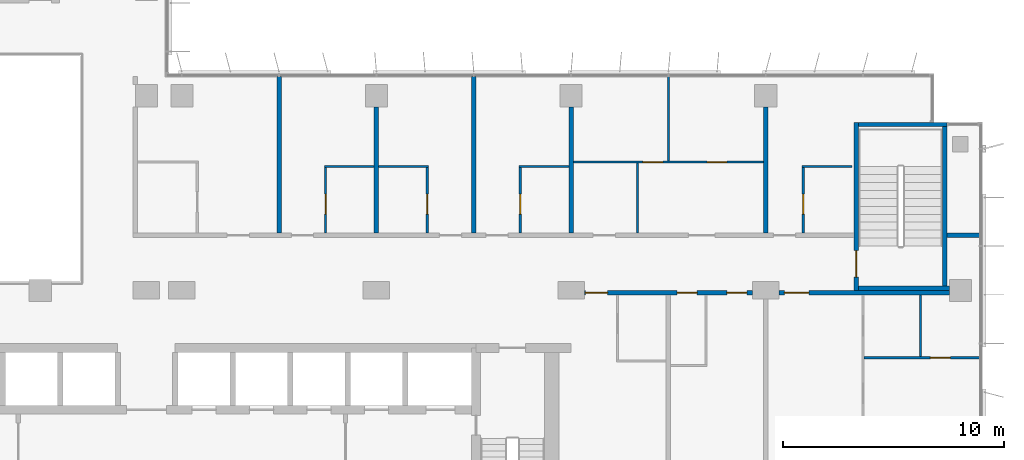
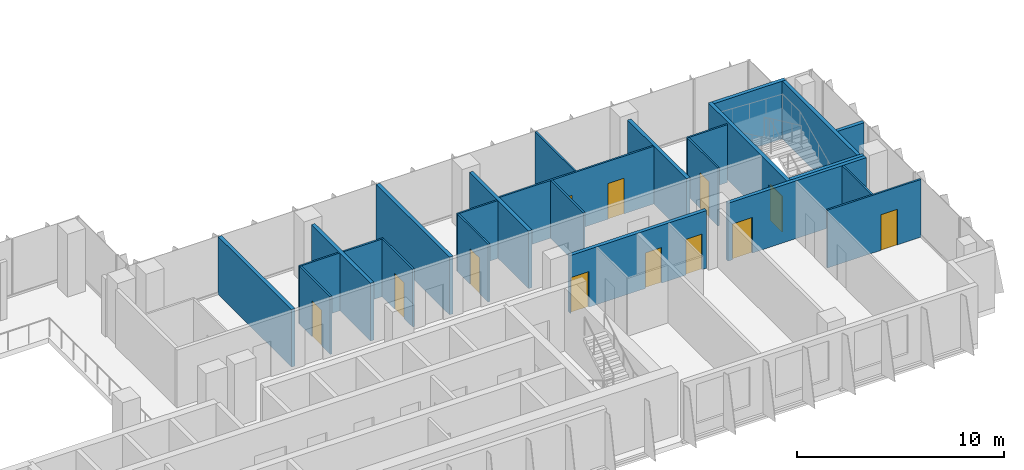
# One storey, part 15 of 21: 25 walls, 12 doors, 12 openings.
"""IFC4 building model written with IfcOpenShell, lengths in metres."""

from ifc_helpers import new_model, si_unit, direction, frame, frame_2d, origin, place, context, subcontext, project, spatial, rectangle, extrude, material, layer, layer_set, type_object, element, fill, save


model = new_model("IFC4")

# Units and contexts
model_context = context("Model", 3, precision=1e-05, world=origin(), true_north=direction((0.0, 1.0)))
body_context = subcontext(model_context, "Body", "Model", "MODEL_VIEW")
ifc_project = project(units=[si_unit("LENGTHUNIT", "METRE"), si_unit("AREAUNIT", "SQUARE_METRE"), si_unit("VOLUMEUNIT", "CUBIC_METRE"), si_unit("PLANEANGLEUNIT", "RADIAN"), si_unit("MASSUNIT", "GRAM", prefix="KILO")], contexts=[model_context])

# Site, building, storey
site_placement = place(None, origin())
site = spatial("IfcSite", under=ifc_project, at=site_placement, CompositionType="ELEMENT")
building_placement = place(site_placement, origin())
building = spatial("IfcBuilding", under=site, at=building_placement, Name="Kemantara Hotel Tower", CompositionType="ELEMENT")
storey_placement = place(building_placement, frame((0.0, 0.0, 208.0)))
storey = spatial("IfcBuildingStorey", under=building, at=storey_placement, Name="L51", CompositionType="ELEMENT", Elevation=208.0)

# Wall, openings, doors
ifc_material_1 = material(Name="Gypsum board partition, steel studs and mineral wool, 200 mm", Category="steel")
ifc_layer_1 = layer(ifc_material_1, 0.199951171875)
ifc_layer_set_1 = layer_set([ifc_layer_1], Name="Gypsum board partition, steel studs and mineral wool, 200 mm")
wall_type_1 = type_object("IfcWallType", Name="CORRIDOR WALL 200", PredefinedType="PARTITIONING", material=ifc_layer_set_1)
wall_1_placement = place(storey_placement, frame((53.199951171875, 12.10009765625, 0.0), z_axis=(0.0, 0.0, 1.0), x_axis=(-1.0, 0.0, 0.0)))
wall_1 = element("IfcWall", 1, at=wall_1_placement, inside=storey, type_object=wall_type_1, Name="CORRIDOR WALL 200 001", PredefinedType="PARTITIONING", context=body_context, shape_type="SweptSolid", body=[
    extrude(rectangle(XDim=7.599853515625, YDim=0.199951171875, at=frame_2d((3.7998046875, 0.0))), origin(), (0.0, 0.0, 1.0), 3.39990234375),
])
opening_1_placement = place(wall_1_placement, frame((6.5498046875, 0.0, 0.0)))
opening_1 = element("IfcOpeningElement", 2, at=opening_1_placement, cuts=wall_1, Name="Opening F25-001", PredefinedType="OPENING", context=body_context, shape_type="SweptSolid", body=[
    extrude(rectangle(XDim=1.0, YDim=2.10009765625, at=frame_2d((0.5, 1.050048828125))), frame((0.0, 0.10986328125, 0.0), z_axis=(0.0, -1.0, 0.0), x_axis=(1.0, 0.0, 0.0)), (0.0, 0.0, 1.0), 0.219970703125),
])
opening_2_placement = place(wall_1_placement, frame((0.25, 0.0, 0.0)))
opening_2 = element("IfcOpeningElement", 3, at=opening_2_placement, cuts=wall_1, Name="Opening F25-003", PredefinedType="OPENING", context=body_context, shape_type="SweptSolid", body=[
    extrude(rectangle(XDim=0.89990234375, YDim=2.10009765625, at=frame_2d((0.449951171875, 1.050048828125))), frame((0.0, 0.10986328125, 0.0), z_axis=(0.0, -1.0, 0.0), x_axis=(1.0, 0.0, 0.0)), (0.0, 0.0, 1.0), 0.219970703125),
])
opening_3_placement = place(wall_1_placement, frame((2.5, 0.0, 0.0)))
opening_3 = element("IfcOpeningElement", 4, at=opening_3_placement, cuts=wall_1, Name="Opening F25-004", PredefinedType="OPENING", context=body_context, shape_type="SweptSolid", body=[
    extrude(rectangle(XDim=0.89990234375, YDim=2.10009765625, at=frame_2d((0.449951171875, 1.050048828125))), frame((0.0, 0.10986328125, 0.0), z_axis=(0.0, -1.0, 0.0), x_axis=(1.0, 0.0, 0.0)), (0.0, 0.0, 1.0), 0.219970703125),
])
ifc_material_2 = material(Name="Hardwood veneer door leaf with steel frame", Category="steel")
door_type_1 = type_object("IfcDoorType", Name="GUEST ROOM DOOR 1000 X 2100 FD30S", OperationType="NOTDEFINED", PredefinedType="DOOR", material=ifc_material_2)
door_1_placement = place(opening_1_placement, origin())
door_1 = element("IfcDoor", 5, at=door_1_placement, inside=storey, type_object=door_type_1, Name="GUEST ROOM DOOR F25-001", OperationType="SINGLE_SWING_RIGHT", OverallHeight=2.10009765625, OverallWidth=1.0, PredefinedType="DOOR", context=body_context, shape_type="SweptSolid", body=[
    extrude(rectangle(XDim=1.0, YDim=2.10009765625, at=frame_2d((0.5, 1.050048828125))), frame((0.0, 0.02490234375, 0.0), z_axis=(0.0, -1.0, 0.0), x_axis=(1.0, 0.0, 0.0)), (0.0, 0.0, 1.0), 0.050048828125),
])
fill(opening_1, door_1)
ifc_material_3 = material(Name="Steel door leaf with steel frame", Category="steel")
door_type_2 = type_object("IfcDoorType", Name="SERVICE ROOM DOOR 900 X 2100 FD60", OperationType="NOTDEFINED", PredefinedType="DOOR", material=ifc_material_3)
door_2_placement = place(opening_2_placement, origin())
door_2 = element("IfcDoor", 6, at=door_2_placement, inside=storey, type_object=door_type_2, Name="SERVICE ROOM DOOR F25-003", OperationType="SINGLE_SWING_LEFT", OverallHeight=2.10009765625, OverallWidth=0.89990234375, PredefinedType="DOOR", context=body_context, shape_type="SweptSolid", body=[
    extrude(rectangle(XDim=0.89990234375, YDim=2.10009765625, at=frame_2d((0.449951171875, 1.050048828125))), frame((0.0, 0.02490234375, 0.0), z_axis=(0.0, -1.0, 0.0), x_axis=(1.0, 0.0, 0.0)), (0.0, 0.0, 1.0), 0.050048828125),
])
fill(opening_2, door_2)
door_3_placement = place(opening_3_placement, origin())
door_3 = element("IfcDoor", 7, at=door_3_placement, inside=storey, type_object=door_type_2, Name="SERVICE ROOM DOOR F25-004", OperationType="SINGLE_SWING_RIGHT", OverallHeight=2.10009765625, OverallWidth=0.89990234375, PredefinedType="DOOR", context=body_context, shape_type="SweptSolid", body=[
    extrude(rectangle(XDim=0.89990234375, YDim=2.10009765625, at=frame_2d((0.449951171875, 1.050048828125))), frame((0.0, 0.02490234375, 0.0), z_axis=(0.0, -1.0, 0.0), x_axis=(1.0, 0.0, 0.0)), (0.0, 0.0, 1.0), 0.050048828125),
])
fill(opening_3, door_3)

# Wall, opening, door
wall_2_placement = place(storey_placement, frame((62.099853515625, 12.10009765625, 0.0), z_axis=(0.0, 0.0, 1.0), x_axis=(-1.0, 0.0, 0.0)))
wall_2 = element("IfcWall", 8, at=wall_2_placement, inside=storey, type_object=wall_type_1, Name="CORRIDOR WALL 200 002", PredefinedType="PARTITIONING", context=body_context, shape_type="SweptSolid", body=[
    extrude(rectangle(XDim=7.69970703125, YDim=0.199951171875, at=frame_2d((3.849853515625, 0.0))), origin(), (0.0, 0.0, 1.0), 3.39990234375),
])
opening_4_placement = place(wall_2_placement, frame((6.349853515625, 0.0, 0.0)))
opening_4 = element("IfcOpeningElement", 9, at=opening_4_placement, cuts=wall_2, Name="Opening F25-005", PredefinedType="OPENING", context=body_context, shape_type="SweptSolid", body=[
    extrude(rectangle(XDim=1.10009765625, YDim=2.10009765625, at=frame_2d((0.550048828125, 1.050048828125))), frame((0.0, 0.10986328125, 0.0), z_axis=(0.0, -1.0, 0.0), x_axis=(1.0, 0.0, 0.0)), (0.0, 0.0, 1.0), 0.219970703125),
])
door_type_3 = type_object("IfcDoorType", Name="SUITE ENTRANCE DOOR 1100 X 2100 FD30S", OperationType="NOTDEFINED", PredefinedType="DOOR", material=ifc_material_2)
door_4_placement = place(opening_4_placement, origin())
door_4 = element("IfcDoor", 10, at=door_4_placement, inside=storey, type_object=door_type_3, Name="SUITE ENTRANCE DOOR F25-005", OperationType="SINGLE_SWING_RIGHT", OverallHeight=2.10009765625, OverallWidth=1.10009765625, PredefinedType="DOOR", context=body_context, shape_type="SweptSolid", body=[
    extrude(rectangle(XDim=1.10009765625, YDim=2.10009765625, at=frame_2d((0.550048828125, 1.050048828125))), frame((0.0, 0.02490234375, 0.0), z_axis=(0.0, -1.0, 0.0), x_axis=(1.0, 0.0, 0.0)), (0.0, 0.0, 1.0), 0.050048828125),
])
fill(opening_4, door_4)

# Wall
wall_3_placement = place(storey_placement, frame((62.0, 14.699951171875, 0.0), z_axis=(0.0, 0.0, 1.0), x_axis=(1.0, 0.0, 0.0)))
element("IfcWall", 11, at=wall_3_placement, inside=storey, type_object=wall_type_1, Name="CORRIDOR WALL 200 007", PredefinedType="PARTITIONING", context=body_context, shape_type="SweptSolid", body=[
    extrude(rectangle(XDim=1.47998046875, YDim=0.199951171875, at=frame_2d((0.739990234375, 0.0))), origin(), (0.0, 0.0, 1.0), 3.39990234375),
])

# Wall, opening, door
ifc_material_4 = material(Name="Concrete fc 40 MPa", Category="concrete")
ifc_layer_2 = layer(ifc_material_4, 0.199951171875)
ifc_layer_set_2 = layer_set([ifc_layer_2], Name="Concrete fc 40 MPa")
wall_type_2 = type_object("IfcWallType", Name="Concrete stair wall 200 mm", PredefinedType="SHEAR", material=ifc_layer_set_2)
wall_4_placement = place(storey_placement, frame((57.89990234375, 12.199951171875, 0.0), z_axis=(0.0, 0.0, 1.0), x_axis=(0.0, 1.0, 0.0)))
wall_4 = element("IfcWall", 12, at=wall_4_placement, inside=storey, type_object=wall_type_2, Name="Stair ST3 enclosure wall with door", PredefinedType="SHEAR", context=body_context, shape_type="SweptSolid", body=[
    extrude(rectangle(XDim=7.60009765625, YDim=0.199951171875, at=frame_2d((3.800048828125, 0.0))), origin(), (0.0, 0.0, 1.0), 3.39990234375),
])
opening_5_placement = place(wall_4_placement, frame((0.60009765625, 0.0, 0.0)))
opening_5 = element("IfcOpeningElement", 13, at=opening_5_placement, cuts=wall_4, Name="Opening ST3-C", PredefinedType="OPENING", context=body_context, shape_type="SweptSolid", body=[
    extrude(rectangle(XDim=1.199951171875, YDim=2.10009765625, at=frame_2d((0.60009765625, 1.050048828125))), frame((0.0, 0.10986328125, 0.0), z_axis=(0.0, -1.0, 0.0), x_axis=(1.0, 0.0, 0.0)), (0.0, 0.0, 1.0), 0.219970703125),
])
ifc_material_5 = material(Name="Steel fire door", Category="steel")
door_type_4 = type_object("IfcDoorType", Name="Fire door FD90 1200 x 2100", OperationType="NOTDEFINED", PredefinedType="DOOR", material=ifc_material_5)
door_5_placement = place(opening_5_placement, frame((1.199951171875, 0.0, 0.0), z_axis=(0.0, 0.0, 1.0), x_axis=(-1.0, 0.0, 0.0)))
door_5 = element("IfcDoor", 14, at=door_5_placement, inside=storey, type_object=door_type_4, Name="Stair ST3 door", OperationType="SINGLE_SWING_RIGHT", OverallHeight=2.10009765625, OverallWidth=1.199951171875, PredefinedType="DOOR", context=body_context, shape_type="SweptSolid", body=[
    extrude(rectangle(XDim=1.199951171875, YDim=2.10009765625, at=frame_2d((0.60009765625, 1.050048828125))), frame((0.0, 0.02490234375, 0.0), z_axis=(0.0, -1.0, 0.0), x_axis=(1.0, 0.0, 0.0)), (0.0, 0.0, 1.0), 0.050048828125),
])
fill(opening_5, door_5)

# Walls
wall_5_placement = place(storey_placement, frame((58.0, 19.699951171875, 0.0), z_axis=(0.0, 0.0, 1.0), x_axis=(1.0, 0.0, 0.0)))
element("IfcWall", 15, at=wall_5_placement, inside=storey, type_object=wall_type_2, Name="Stair ST3 enclosure wall N", PredefinedType="SHEAR", context=body_context, shape_type="SweptSolid", body=[
    extrude(rectangle(XDim=4.0, YDim=0.199951171875, at=frame_2d((2.0, 0.0))), origin(), (0.0, 0.0, 1.0), 3.39990234375),
])
wall_6_placement = place(storey_placement, frame((58.0, 12.300048828125, 0.0), z_axis=(0.0, 0.0, 1.0), x_axis=(1.0, 0.0, 0.0)))
element("IfcWall", 16, at=wall_6_placement, inside=storey, type_object=wall_type_2, Name="Stair ST3 enclosure wall S", PredefinedType="SHEAR", context=body_context, shape_type="SweptSolid", body=[
    extrude(rectangle(XDim=4.10009765625, YDim=0.199951171875, at=frame_2d((2.050048828125, 0.0))), origin(), (0.0, 0.0, 1.0), 3.39990234375),
])
wall_7_placement = place(storey_placement, frame((61.89990234375, 12.39990234375, 0.0), z_axis=(0.0, 0.0, 1.0), x_axis=(0.0, 1.0, 0.0)))
element("IfcWall", 17, at=wall_7_placement, inside=storey, type_object=wall_type_2, Name="Stair ST3 enclosure wall E", PredefinedType="SHEAR", context=body_context, shape_type="SweptSolid", body=[
    extrude(rectangle(XDim=7.2001953125, YDim=0.199951171875, at=frame_2d((3.60009765625, 0.0))), origin(), (0.0, 0.0, 1.0), 3.39990234375),
])
ifc_layer_3 = layer(ifc_material_1, 0.199951171875)
ifc_layer_set_3 = layer_set([ifc_layer_3], Name="Gypsum board partition, steel studs and mineral wool, 200 mm")
wall_type_3 = type_object("IfcWallType", Name="GUEST ROOM PARTY WALL 200", PredefinedType="PARTITIONING", material=ifc_layer_set_3)
wall_8_placement = place(storey_placement, frame((53.800048828125, 14.800048828125, 0.0), z_axis=(0.0, 0.0, 1.0), x_axis=(0.0, 1.0, 0.0)))
element("IfcWall", 18, at=wall_8_placement, inside=storey, type_object=wall_type_3, Name="GUEST ROOM PARTY WALL 200 005", PredefinedType="PARTITIONING", context=body_context, shape_type="SweptSolid", body=[
    extrude(rectangle(XDim=5.699951171875, YDim=0.199951171875, at=frame_2d((2.85009765625, 0.0))), origin(), (0.0, 0.0, 1.0), 3.39990234375),
])
wall_9_placement = place(storey_placement, frame((31.800048828125, 14.800048828125, 0.0), z_axis=(0.0, 0.0, 1.0), x_axis=(0.0, 1.0, 0.0)))
element("IfcWall", 19, at=wall_9_placement, inside=storey, type_object=wall_type_3, Name="GUEST ROOM PARTY WALL 200 010", PredefinedType="PARTITIONING", context=body_context, shape_type="SweptSolid", body=[
    extrude(rectangle(XDim=7.070068359375, YDim=0.199951171875, at=frame_2d((3.53515625, 0.0))), origin(), (0.0, 0.0, 1.0), 3.39990234375),
])
wall_10_placement = place(storey_placement, frame((36.199951171875, 14.800048828125, 0.0), z_axis=(0.0, 0.0, 1.0), x_axis=(0.0, 1.0, 0.0)))
element("IfcWall", 20, at=wall_10_placement, inside=storey, type_object=wall_type_3, Name="GUEST ROOM PARTY WALL 200 011", PredefinedType="PARTITIONING", context=body_context, shape_type="SweptSolid", body=[
    extrude(rectangle(XDim=5.699951171875, YDim=0.199951171875, at=frame_2d((2.85009765625, 0.0))), origin(), (0.0, 0.0, 1.0), 3.39990234375),
])
wall_11_placement = place(storey_placement, frame((40.60009765625, 14.800048828125, 0.0), z_axis=(0.0, 0.0, 1.0), x_axis=(0.0, 1.0, 0.0)))
element("IfcWall", 21, at=wall_11_placement, inside=storey, type_object=wall_type_3, Name="GUEST ROOM PARTY WALL 200 012", PredefinedType="PARTITIONING", context=body_context, shape_type="SweptSolid", body=[
    extrude(rectangle(XDim=7.070068359375, YDim=0.199951171875, at=frame_2d((3.53515625, 0.0))), origin(), (0.0, 0.0, 1.0), 3.39990234375),
])
wall_12_placement = place(storey_placement, frame((45.0, 14.800048828125, 0.0), z_axis=(0.0, 0.0, 1.0), x_axis=(0.0, 1.0, 0.0)))
element("IfcWall", 22, at=wall_12_placement, inside=storey, type_object=wall_type_3, Name="GUEST ROOM PARTY WALL 200 013", PredefinedType="PARTITIONING", context=body_context, shape_type="SweptSolid", body=[
    extrude(rectangle(XDim=5.699951171875, YDim=0.199951171875, at=frame_2d((2.85009765625, 0.0))), origin(), (0.0, 0.0, 1.0), 3.39990234375),
])

# Wall, opening, door
ifc_material_6 = material(Name="Gypsum board partition on steel studs, 100 mm", Category="steel")
ifc_layer_4 = layer(ifc_material_6, 0.10009765625)
ifc_layer_set_4 = layer_set([ifc_layer_4], Name="Gypsum board partition on steel studs, 100 mm")
wall_type_4 = type_object("IfcWallType", Name="ROOM PARTITION 100", PredefinedType="PARTITIONING", material=ifc_layer_set_4)
wall_13_placement = place(storey_placement, frame((58.25, 9.14990234375, 0.0), z_axis=(0.0, 0.0, 1.0), x_axis=(1.0, 0.0, 0.0)))
wall_13 = element("IfcWall", 23, at=wall_13_placement, inside=storey, type_object=wall_type_4, Name="ROOM PARTITION 100 036", PredefinedType="PARTITIONING", context=body_context, shape_type="SweptSolid", body=[
    extrude(rectangle(XDim=5.219970703125, YDim=0.10009765625, at=frame_2d((2.60986328125, 0.0))), origin(), (0.0, 0.0, 1.0), 3.39990234375),
])
opening_6_placement = place(wall_13_placement, frame((3.0, 0.0, 0.0)))
opening_6 = element("IfcOpeningElement", 24, at=opening_6_placement, cuts=wall_13, Name="Opening F25-008", PredefinedType="OPENING", context=body_context, shape_type="SweptSolid", body=[
    extrude(rectangle(XDim=0.89990234375, YDim=2.10009765625, at=frame_2d((0.449951171875, 1.050048828125))), frame((0.0, 0.06005859375, 0.0), z_axis=(0.0, -1.0, 0.0), x_axis=(1.0, 0.0, 0.0)), (0.0, 0.0, 1.0), 0.1201171875),
])
door_type_5 = type_object("IfcDoorType", Name="BATHROOM DOOR 900 X 2100", OperationType="NOTDEFINED", PredefinedType="DOOR", material=ifc_material_2)
door_6_placement = place(opening_6_placement, origin())
door_6 = element("IfcDoor", 25, at=door_6_placement, inside=storey, type_object=door_type_5, Name="BATHROOM DOOR F25-008", OperationType="SINGLE_SWING_LEFT", OverallHeight=2.10009765625, OverallWidth=0.89990234375, PredefinedType="DOOR", context=body_context, shape_type="SweptSolid", body=[
    extrude(rectangle(XDim=0.89990234375, YDim=2.10009765625, at=frame_2d((0.449951171875, 1.050048828125))), frame((0.0, 0.02490234375, 0.0), z_axis=(0.0, -1.0, 0.0), x_axis=(1.0, 0.0, 0.0)), (0.0, 0.0, 1.0), 0.050048828125),
])
fill(opening_6, door_6)

# Wall
wall_14_placement = place(storey_placement, frame((60.800048828125, 9.199951171875, 0.0), z_axis=(0.0, 0.0, 1.0), x_axis=(0.0, 1.0, 0.0)))
element("IfcWall", 26, at=wall_14_placement, inside=storey, type_object=wall_type_4, Name="ROOM PARTITION 100 038", PredefinedType="PARTITIONING", context=body_context, shape_type="SweptSolid", body=[
    extrude(rectangle(XDim=2.800048828125, YDim=0.10009765625, at=frame_2d((1.39990234375, 0.0))), origin(), (0.0, 0.0, 1.0), 3.39990234375),
])

# Wall, openings, doors
wall_15_placement = place(storey_placement, frame((45.10009765625, 18.0, 0.0), z_axis=(0.0, 0.0, 1.0), x_axis=(1.0, 0.0, 0.0)))
wall_15 = element("IfcWall", 27, at=wall_15_placement, inside=storey, type_object=wall_type_4, Name="ROOM PARTITION 100 040", PredefinedType="PARTITIONING", context=body_context, shape_type="SweptSolid", body=[
    extrude(rectangle(XDim=8.599853515625, YDim=0.10009765625, at=frame_2d((4.2998046875, 0.0))), origin(), (0.0, 0.0, 1.0), 3.39990234375),
])
opening_7_placement = place(wall_15_placement, frame((3.14990234375, 0.0, 0.0)))
opening_7 = element("IfcOpeningElement", 28, at=opening_7_placement, cuts=wall_15, Name="Opening F25-019", PredefinedType="OPENING", context=body_context, shape_type="SweptSolid", body=[
    extrude(rectangle(XDim=0.89990234375, YDim=2.10009765625, at=frame_2d((0.449951171875, 1.050048828125))), frame((0.0, 0.06005859375, 0.0), z_axis=(0.0, -1.0, 0.0), x_axis=(1.0, 0.0, 0.0)), (0.0, 0.0, 1.0), 0.1201171875),
])
opening_8_placement = place(wall_15_placement, frame((6.050048828125, 0.0, 0.0)))
opening_8 = element("IfcOpeningElement", 29, at=opening_8_placement, cuts=wall_15, Name="Opening F25-020", PredefinedType="OPENING", context=body_context, shape_type="SweptSolid", body=[
    extrude(rectangle(XDim=0.89990234375, YDim=2.10009765625, at=frame_2d((0.449951171875, 1.050048828125))), frame((0.0, 0.06005859375, 0.0), z_axis=(0.0, -1.0, 0.0), x_axis=(1.0, 0.0, 0.0)), (0.0, 0.0, 1.0), 0.1201171875),
])
door_type_6 = type_object("IfcDoorType", Name="INTERNAL DOOR 900 X 2100", OperationType="NOTDEFINED", PredefinedType="DOOR", material=ifc_material_2)
door_7_placement = place(opening_7_placement, origin())
door_7 = element("IfcDoor", 30, at=door_7_placement, inside=storey, type_object=door_type_6, Name="INTERNAL DOOR F25-019", OperationType="SINGLE_SWING_LEFT", OverallHeight=2.10009765625, OverallWidth=0.89990234375, PredefinedType="DOOR", context=body_context, shape_type="SweptSolid", body=[
    extrude(rectangle(XDim=0.89990234375, YDim=2.10009765625, at=frame_2d((0.449951171875, 1.050048828125))), frame((0.0, 0.02490234375, 0.0), z_axis=(0.0, -1.0, 0.0), x_axis=(1.0, 0.0, 0.0)), (0.0, 0.0, 1.0), 0.050048828125),
])
fill(opening_7, door_7)
door_8_placement = place(opening_8_placement, origin())
door_8 = element("IfcDoor", 31, at=door_8_placement, inside=storey, type_object=door_type_6, Name="INTERNAL DOOR F25-020", OperationType="SINGLE_SWING_LEFT", OverallHeight=2.10009765625, OverallWidth=0.89990234375, PredefinedType="DOOR", context=body_context, shape_type="SweptSolid", body=[
    extrude(rectangle(XDim=0.89990234375, YDim=2.10009765625, at=frame_2d((0.449951171875, 1.050048828125))), frame((0.0, 0.02490234375, 0.0), z_axis=(0.0, -1.0, 0.0), x_axis=(1.0, 0.0, 0.0)), (0.0, 0.0, 1.0), 0.050048828125),
])
fill(opening_8, door_8)

# Walls
for number, where, z_axis, x_axis, name in (
    (32, (33.85009765625, 17.800048828125, 0.0), (0.0, 0.0, 1.0), (1.0, 0.0, 0.0), "ROOM PARTITION 100 042"),
    (33, (36.300048828125, 17.800048828125, 0.0), (0.0, 0.0, 1.0), (1.0, 0.0, 0.0), "ROOM PARTITION 100 043"),
    (34, (42.64990234375, 17.800048828125, 0.0), (0.0, 0.0, 1.0), (1.0, 0.0, 0.0), "ROOM PARTITION 100 044"),
    (35, (55.449951171875, 17.800048828125, 0.0), (0.0, 0.0, 1.0), (1.0, 0.0, 0.0), "ROOM PARTITION 100 045"),
):
    element("IfcWall", number, at=place(storey_placement, frame(where, z_axis=z_axis, x_axis=x_axis)), inside=storey, type_object=wall_type_4, Name=name, PredefinedType="PARTITIONING", context=body_context, shape_type="SweptSolid", body=[
        extrude(rectangle(XDim=2.25, YDim=0.10009765625, at=frame_2d((1.125, 0.0))), origin(), (0.0, 0.0, 1.0), 3.39990234375),
    ])

# Wall, opening, door
wall_16_placement = place(storey_placement, frame((33.89990234375, 17.75, 0.0), z_axis=(0.0, 0.0, 1.0), x_axis=(0.0, -1.0, 0.0)))
wall_16 = element("IfcWall", 36, at=wall_16_placement, inside=storey, type_object=wall_type_4, Name="ROOM PARTITION 100 046", PredefinedType="PARTITIONING", context=body_context, shape_type="SweptSolid", body=[
    extrude(rectangle(XDim=2.949951171875, YDim=0.10009765625, at=frame_2d((1.47509765625, 0.0))), origin(), (0.0, 0.0, 1.0), 3.39990234375),
])
opening_9_placement = place(wall_16_placement, frame((1.199951171875, 0.0, 0.0)))
opening_9 = element("IfcOpeningElement", 37, at=opening_9_placement, cuts=wall_16, Name="Opening F25-012", PredefinedType="OPENING", context=body_context, shape_type="SweptSolid", body=[
    extrude(rectangle(XDim=0.89990234375, YDim=2.10009765625, at=frame_2d((0.449951171875, 1.050048828125))), frame((0.0, 0.06005859375, 0.0), z_axis=(0.0, -1.0, 0.0), x_axis=(1.0, 0.0, 0.0)), (0.0, 0.0, 1.0), 0.1201171875),
])
door_9_placement = place(opening_9_placement, origin())
door_9 = element("IfcDoor", 38, at=door_9_placement, inside=storey, type_object=door_type_5, Name="BATHROOM DOOR F25-012", OperationType="SINGLE_SWING_RIGHT", OverallHeight=2.10009765625, OverallWidth=0.89990234375, PredefinedType="DOOR", context=body_context, shape_type="SweptSolid", body=[
    extrude(rectangle(XDim=0.89990234375, YDim=2.10009765625, at=frame_2d((0.449951171875, 1.050048828125))), frame((0.0, 0.02490234375, 0.0), z_axis=(0.0, -1.0, 0.0), x_axis=(1.0, 0.0, 0.0)), (0.0, 0.0, 1.0), 0.050048828125),
])
fill(opening_9, door_9)

wall_17_placement = place(storey_placement, frame((38.5, 14.800048828125, 0.0), z_axis=(0.0, 0.0, 1.0), x_axis=(0.0, 1.0, 0.0)))
wall_17 = element("IfcWall", 39, at=wall_17_placement, inside=storey, type_object=wall_type_4, Name="ROOM PARTITION 100 047", PredefinedType="PARTITIONING", context=body_context, shape_type="SweptSolid", body=[
    extrude(rectangle(XDim=2.949951171875, YDim=0.10009765625, at=frame_2d((1.47509765625, 0.0))), origin(), (0.0, 0.0, 1.0), 3.39990234375),
])
opening_10_placement = place(wall_17_placement, frame((0.85009765625, 0.0, 0.0)))
opening_10 = element("IfcOpeningElement", 40, at=opening_10_placement, cuts=wall_17, Name="Opening F25-014", PredefinedType="OPENING", context=body_context, shape_type="SweptSolid", body=[
    extrude(rectangle(XDim=0.89990234375, YDim=2.10009765625, at=frame_2d((0.449951171875, 1.050048828125))), frame((0.0, 0.06005859375, 0.0), z_axis=(0.0, -1.0, 0.0), x_axis=(1.0, 0.0, 0.0)), (0.0, 0.0, 1.0), 0.1201171875),
])
door_10_placement = place(opening_10_placement, origin())
door_10 = element("IfcDoor", 41, at=door_10_placement, inside=storey, type_object=door_type_5, Name="BATHROOM DOOR F25-014", OperationType="SINGLE_SWING_LEFT", OverallHeight=2.10009765625, OverallWidth=0.89990234375, PredefinedType="DOOR", context=body_context, shape_type="SweptSolid", body=[
    extrude(rectangle(XDim=0.89990234375, YDim=2.10009765625, at=frame_2d((0.449951171875, 1.050048828125))), frame((0.0, 0.02490234375, 0.0), z_axis=(0.0, -1.0, 0.0), x_axis=(1.0, 0.0, 0.0)), (0.0, 0.0, 1.0), 0.050048828125),
])
fill(opening_10, door_10)

wall_18_placement = place(storey_placement, frame((42.699951171875, 17.75, 0.0), z_axis=(0.0, 0.0, 1.0), x_axis=(0.0, -1.0, 0.0)))
wall_18 = element("IfcWall", 42, at=wall_18_placement, inside=storey, type_object=wall_type_4, Name="ROOM PARTITION 100 048", PredefinedType="PARTITIONING", context=body_context, shape_type="SweptSolid", body=[
    extrude(rectangle(XDim=2.949951171875, YDim=0.10009765625, at=frame_2d((1.47509765625, 0.0))), origin(), (0.0, 0.0, 1.0), 3.39990234375),
])
opening_11_placement = place(wall_18_placement, frame((1.199951171875, 0.0, 0.0)))
opening_11 = element("IfcOpeningElement", 43, at=opening_11_placement, cuts=wall_18, Name="Opening F25-016", PredefinedType="OPENING", context=body_context, shape_type="SweptSolid", body=[
    extrude(rectangle(XDim=0.89990234375, YDim=2.10009765625, at=frame_2d((0.449951171875, 1.050048828125))), frame((0.0, 0.06005859375, 0.0), z_axis=(0.0, -1.0, 0.0), x_axis=(1.0, 0.0, 0.0)), (0.0, 0.0, 1.0), 0.1201171875),
])
door_11_placement = place(opening_11_placement, origin())
door_11 = element("IfcDoor", 44, at=door_11_placement, inside=storey, type_object=door_type_5, Name="BATHROOM DOOR F25-016", OperationType="SINGLE_SWING_RIGHT", OverallHeight=2.10009765625, OverallWidth=0.89990234375, PredefinedType="DOOR", context=body_context, shape_type="SweptSolid", body=[
    extrude(rectangle(XDim=0.89990234375, YDim=2.10009765625, at=frame_2d((0.449951171875, 1.050048828125))), frame((0.0, 0.02490234375, 0.0), z_axis=(0.0, -1.0, 0.0), x_axis=(1.0, 0.0, 0.0)), (0.0, 0.0, 1.0), 0.050048828125),
])
fill(opening_11, door_11)

# Walls
wall_19_placement = place(storey_placement, frame((48.0, 14.800048828125, 0.0), z_axis=(0.0, 0.0, 1.0), x_axis=(0.0, 1.0, 0.0)))
element("IfcWall", 45, at=wall_19_placement, inside=storey, type_object=wall_type_4, Name="ROOM PARTITION 100 049", PredefinedType="PARTITIONING", context=body_context, shape_type="SweptSolid", body=[
    extrude(rectangle(XDim=3.14990234375, YDim=0.10009765625, at=frame_2d((1.574951171875, 0.0))), origin(), (0.0, 0.0, 1.0), 3.39990234375),
])
wall_20_placement = place(storey_placement, frame((49.39990234375, 18.050048828125, 0.0), z_axis=(0.0, 0.0, 1.0), x_axis=(0.0, 1.0, 0.0)))
element("IfcWall", 46, at=wall_20_placement, inside=storey, type_object=wall_type_4, Name="ROOM PARTITION 100 050", PredefinedType="PARTITIONING", context=body_context, shape_type="SweptSolid", body=[
    extrude(rectangle(XDim=3.820068359375, YDim=0.10009765625, at=frame_2d((1.91015625, 0.0))), origin(), (0.0, 0.0, 1.0), 3.39990234375),
])

# Wall, opening, door
wall_21_placement = place(storey_placement, frame((55.5, 17.75, 0.0), z_axis=(0.0, 0.0, 1.0), x_axis=(0.0, -1.0, 0.0)))
wall_21 = element("IfcWall", 47, at=wall_21_placement, inside=storey, type_object=wall_type_4, Name="ROOM PARTITION 100 051", PredefinedType="PARTITIONING", context=body_context, shape_type="SweptSolid", body=[
    extrude(rectangle(XDim=2.949951171875, YDim=0.10009765625, at=frame_2d((1.47509765625, 0.0))), origin(), (0.0, 0.0, 1.0), 3.39990234375),
])
opening_12_placement = place(wall_21_placement, frame((1.199951171875, 0.0, 0.0)))
opening_12 = element("IfcOpeningElement", 48, at=opening_12_placement, cuts=wall_21, Name="Opening F25-022", PredefinedType="OPENING", context=body_context, shape_type="SweptSolid", body=[
    extrude(rectangle(XDim=0.89990234375, YDim=2.10009765625, at=frame_2d((0.449951171875, 1.050048828125))), frame((0.0, 0.06005859375, 0.0), z_axis=(0.0, -1.0, 0.0), x_axis=(1.0, 0.0, 0.0)), (0.0, 0.0, 1.0), 0.1201171875),
])
door_12_placement = place(opening_12_placement, origin())
door_12 = element("IfcDoor", 49, at=door_12_placement, inside=storey, type_object=door_type_5, Name="BATHROOM DOOR F25-022", OperationType="SINGLE_SWING_RIGHT", OverallHeight=2.10009765625, OverallWidth=0.89990234375, PredefinedType="DOOR", context=body_context, shape_type="SweptSolid", body=[
    extrude(rectangle(XDim=0.89990234375, YDim=2.10009765625, at=frame_2d((0.449951171875, 1.050048828125))), frame((0.0, 0.02490234375, 0.0), z_axis=(0.0, -1.0, 0.0), x_axis=(1.0, 0.0, 0.0)), (0.0, 0.0, 1.0), 0.050048828125),
])
fill(opening_12, door_12)

save(model, "model.ifc")
